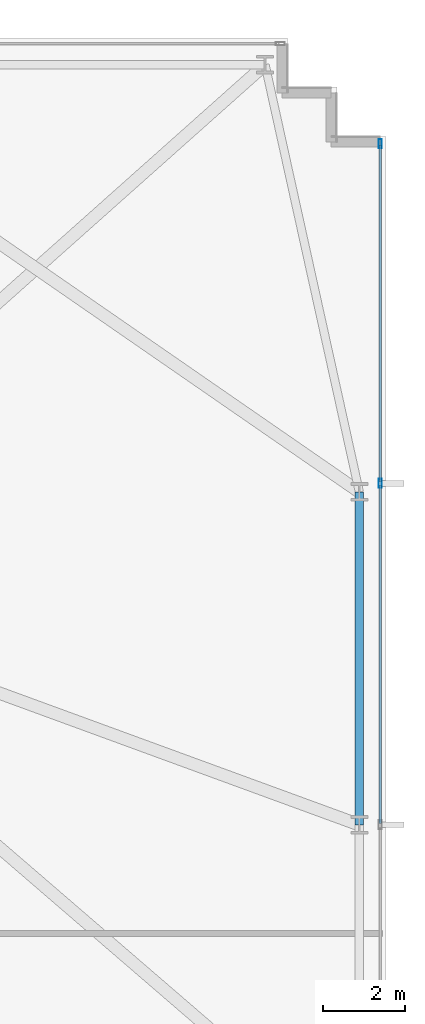
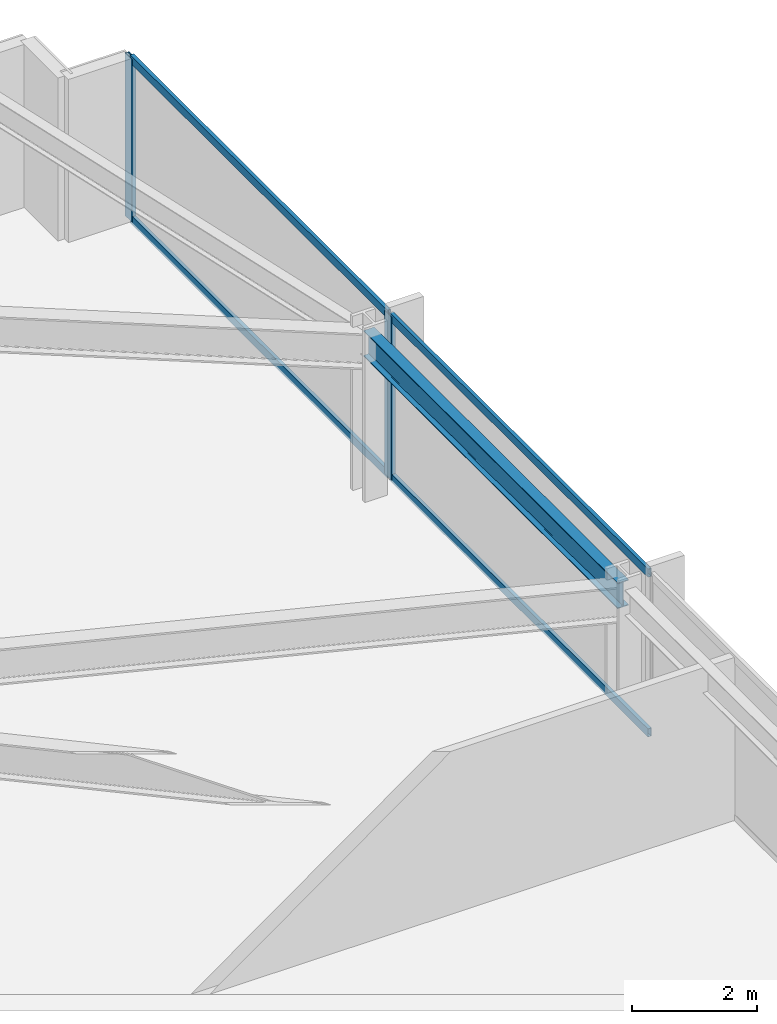
# One storey, part 23 of 32: 6 members, 1 beam, 1 element without a shape of its own.
"""IFC4 building model written with IfcOpenShell, lengths in metres."""

from ifc_helpers import new_model, si_unit, direction, frame, origin, origin_2d, place, context, subcontext, project, spatial, hollow_rectangle, i_section, extrude, material, material_profile, profile_set, type_object, element, aggregate, save


model = new_model("IFC4")

# Units and contexts
model_context = context("Model", 3, precision=1e-05, world=origin(), true_north=direction((0.0, 1.0)))
body_context = subcontext(model_context, "Body", "Model", "MODEL_VIEW")
ifc_project = project(units=[si_unit("LENGTHUNIT", "METRE"), si_unit("AREAUNIT", "SQUARE_METRE"), si_unit("VOLUMEUNIT", "CUBIC_METRE"), si_unit("PLANEANGLEUNIT", "RADIAN"), si_unit("MASSUNIT", "GRAM", prefix="KILO")], contexts=[model_context])

# Site, building, storey
site_placement = place(None, origin())
site = spatial("IfcSite", under=ifc_project, at=site_placement, CompositionType="ELEMENT")
building_placement = place(site_placement, origin())
building = spatial("IfcBuilding", under=site, at=building_placement, Name="Yelkora Congress Tower", CompositionType="ELEMENT")
storey_placement = place(building_placement, frame((0.0, 0.0, 57.60009765625)))
storey = spatial("IfcBuildingStorey", under=building, at=storey_placement, Name="L14", CompositionType="ELEMENT", Elevation=57.60009765625)

# Beam
ifc_material_1 = material(Name="Steel S355J2", Category="steel")
ifc_material_profile_1 = material_profile(ifc_material_1, i_section(OverallWidth=0.199951171875, OverallDepth=0.5, WebThickness=0.01025390625, FlangeThickness=0.01611328125, FilletRadius=0.02099609375, at=origin_2d()), Name="IPE 500")
ifc_profile_set_1 = profile_set([ifc_material_profile_1], Name="Steel S355J2")
beam_type = type_object("IfcBeamType", Name="BM-SPAN-IPE500", PredefinedType="SPANDREL", material=ifc_profile_set_1)
beam_placement = place(storey_placement, frame((70.14990234375, 29.39990234375, 2.929931640625), z_axis=(0.0, 1.0, 0.0), x_axis=(-1.0, 0.0, 0.0)))
element("IfcBeam", 1, at=beam_placement, inside=storey, type_object=beam_type, Name="L14 Perimeter Beam 12", PredefinedType="SPANDREL", context=body_context, shape_type="SweptSolid", body=[
    extrude(i_section(OverallWidth=0.199951171875, OverallDepth=0.5, WebThickness=0.01025390625, FlangeThickness=0.01611328125, FilletRadius=0.02099609375, at=origin_2d()), origin(), (0.0, 0.0, 1.0), 8.125),
])

# Curtain wall, members
ifc_material_2 = material(Name="Anodised aluminium and insulated glass", Category="aluminium")
curtain_wall_type = type_object("IfcCurtainWallType", Name="CW-SYS-B1", PredefinedType="NOTDEFINED", material=ifc_material_2)
curtain_wall_placement = place(storey_placement, origin())
curtain_wall = element("IfcCurtainWall", 2, at=curtain_wall_placement, inside=storey, type_object=curtain_wall_type, Name="L14 Unitised Curtain Wall 15", PredefinedType="NOTDEFINED")
ifc_material_3 = material(Name="Anodised aluminium 6063-T6", Category="aluminium")
ifc_material_profile_2 = material_profile(ifc_material_3, hollow_rectangle(XDim=0.074951171875, YDim=0.219970703125, WallThickness=0.0048828125, at=origin_2d()), Name="ALU 75x220x5")
ifc_profile_set_2 = profile_set([ifc_material_profile_2], Name="Anodised aluminium 6063-T6")
member_type_1 = type_object("IfcMemberType", Name="MEM-ML-B1", PredefinedType="MULLION", material=ifc_profile_set_2)
member_1_placement = place(storey_placement, frame((70.659912109375, 46.0224609375, 0.0), z_axis=(0.0, 0.0, 1.0), x_axis=(1.0, 0.0, 0.0)))
member_1 = element("IfcMember", 3, at=member_1_placement, type_object=member_type_1, Name="CW-B1 mullion 1", PredefinedType="MULLION", context=body_context, shape_type="SweptSolid", body=[
    extrude(hollow_rectangle(XDim=0.074951171875, YDim=0.219970703125, WallThickness=0.0048828125, at=origin_2d()), origin(), (0.0, 0.0, 1.0), 3.179931640625),
])
member_2_placement = place(storey_placement, frame((70.659912109375, 37.72998046875, 0.0), z_axis=(0.0, 0.0, 1.0), x_axis=(1.0, 0.0, 0.0)))
member_2 = element("IfcMember", 4, at=member_2_placement, type_object=member_type_1, Name="CW-B1 mullion 2", PredefinedType="MULLION", context=body_context, shape_type="SweptSolid", body=[
    extrude(hollow_rectangle(XDim=0.074951171875, YDim=0.219970703125, WallThickness=0.0048828125, at=origin_2d()), origin(), (0.0, 0.0, 1.0), 3.179931640625),
])
ifc_material_profile_3 = material_profile(ifc_material_3, hollow_rectangle(XDim=0.06494140625, YDim=0.159912109375, WallThickness=0.00390625, at=origin_2d()), Name="ALU 65x160x4")
ifc_profile_set_3 = profile_set([ifc_material_profile_3], Name="Anodised aluminium 6063-T6")
member_type_2 = type_object("IfcMemberType", Name="MEM-TR-B1", PredefinedType="USERDEFINED", material=ifc_profile_set_3)
member_3_placement = place(storey_placement, frame((70.659912109375, 45.985107421875, 0.032470703125), z_axis=(0.0, -1.0, 0.0), x_axis=(1.0, 0.0, 0.0)))
member_3 = element("IfcMember", 5, at=member_3_placement, type_object=member_type_2, Name="CW-B1 transom 1.1", ObjectType="TRANSOM", PredefinedType="USERDEFINED", context=body_context, shape_type="SweptSolid", body=[
    extrude(hollow_rectangle(XDim=0.06494140625, YDim=0.159912109375, WallThickness=0.00390625, at=origin_2d()), origin(), (0.0, 0.0, 1.0), 8.217529296875),
])
member_4_placement = place(storey_placement, frame((70.659912109375, 45.985107421875, 3.1474609375), z_axis=(0.0, -1.0, 0.0), x_axis=(1.0, 0.0, 0.0)))
member_4 = element("IfcMember", 6, at=member_4_placement, type_object=member_type_2, Name="CW-B1 transom 1.2", ObjectType="TRANSOM", PredefinedType="USERDEFINED", context=body_context, shape_type="SweptSolid", body=[
    extrude(hollow_rectangle(XDim=0.06494140625, YDim=0.159912109375, WallThickness=0.00390625, at=origin_2d()), origin(), (0.0, 0.0, 1.0), 8.217529296875),
])
member_5_placement = place(storey_placement, frame((70.659912109375, 37.6923828125, 0.032470703125), z_axis=(0.0, -1.0, 0.0), x_axis=(1.0, 0.0, 0.0)))
member_5 = element("IfcMember", 7, at=member_5_placement, type_object=member_type_2, Name="CW-B1 transom 2.1", ObjectType="TRANSOM", PredefinedType="USERDEFINED", context=body_context, shape_type="SweptSolid", body=[
    extrude(hollow_rectangle(XDim=0.06494140625, YDim=0.159912109375, WallThickness=0.00390625, at=origin_2d()), origin(), (0.0, 0.0, 1.0), 8.2548828125),
])
member_6_placement = place(storey_placement, frame((70.659912109375, 37.6923828125, 3.1474609375), z_axis=(0.0, -1.0, 0.0), x_axis=(1.0, 0.0, 0.0)))
member_6 = element("IfcMember", 8, at=member_6_placement, type_object=member_type_2, Name="CW-B1 transom 2.2", ObjectType="TRANSOM", PredefinedType="USERDEFINED", context=body_context, shape_type="SweptSolid", body=[
    extrude(hollow_rectangle(XDim=0.06494140625, YDim=0.159912109375, WallThickness=0.00390625, at=origin_2d()), origin(), (0.0, 0.0, 1.0), 8.2548828125),
])
aggregate(curtain_wall, [member_1, member_2, member_3, member_4, member_5, member_6])

save(model, "model.ifc")
